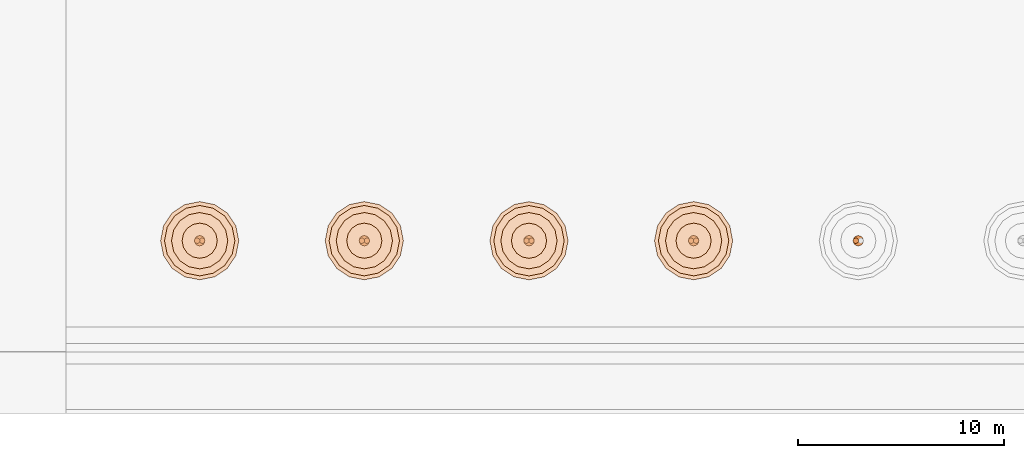
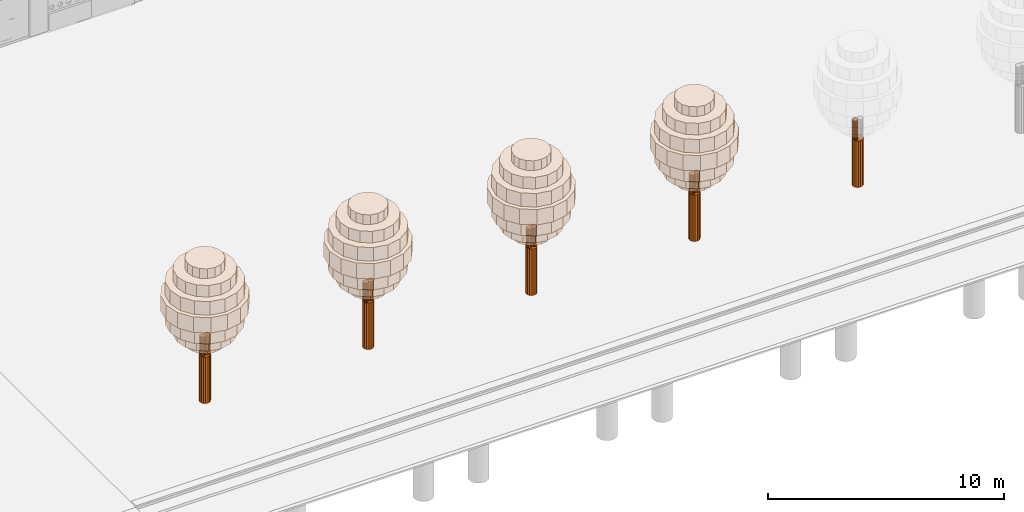
# One storey, part 243 of 250: 42 geographic elements.
"""IFC4 building model written with IfcOpenShell, lengths in metres."""

import ifcopenshell
import ifcopenshell.guid

model = None  # the IFC model being written
_history = None  # IfcOwnerHistory: only IFC2X3 demands one
_inside = {}  # id of a spatial element -> (the spatial element, [elements in it])
_under = {}  # id of a project, library or spatial element -> (it, [spatial elements below it])
_declared = {}  # id of a project -> (the project, [libraries it declares])
_typed = {}  # id of a type object -> (the type object, [elements of that type])
_made_of = {}  # id of a material, layer set ... -> (it, [elements and type objects made of it])


def new_model(schema):
    """Start an empty IFC model of exactly this schema.

    Asked for "IFC4X3", IfcOpenShell would pick the latest addendum, in which some entities
    have other attributes; the version numbers below select the first issue.
    IFC2X3 requires an IfcOwnerHistory on every rooted entity: one is made here for all.
    """
    global model, _history
    if schema == "IFC4X3":
        model = ifcopenshell.file(schema_version=(4, 3, 0, 0))
    else:
        model = ifcopenshell.file(schema=schema)
    _inside.clear()
    _under.clear()
    _declared.clear()
    _typed.clear()
    _made_of.clear()
    _history = None
    if model.schema == "IFC2X3":
        org = make("IfcOrganization", Name="unknown")
        user = make(
            "IfcPersonAndOrganization",
            ThePerson=make("IfcPerson", FamilyName="unknown"),
            TheOrganization=org,
        )
        app = make(
            "IfcApplication",
            ApplicationDeveloper=org,
            Version="unknown",
            ApplicationFullName="unknown",
            ApplicationIdentifier="unknown",
        )
        _history = make(
            "IfcOwnerHistory",
            OwningUser=user,
            OwningApplication=app,
            ChangeAction="ADDED",
            CreationDate=0,
        )
    return model


def make(cls, **values):
    """One entity of the class cls with the attributes given. An attribute that is None is left unset."""
    return model.create_entity(
        cls, **{name: value for name, value in values.items() if value is not None}
    )


def rooted(cls, **values):
    """An entity with a GlobalId (a new one), such as an element, a storey or a relation."""
    return make(cls, GlobalId=ifcopenshell.guid.new(), OwnerHistory=_history, **values)


def si_unit(unit_type, name, prefix=None):
    """IfcSIUnit, for example si_unit("LENGTHUNIT", "METRE", prefix="MILLI")."""
    return make("IfcSIUnit", UnitType=unit_type, Prefix=prefix, Name=name)


def assignment(units):
    """IfcUnitAssignment: the units of a project."""
    return None if units is None else make("IfcUnitAssignment", Units=units)


def point(xyz):
    """IfcCartesianPoint."""
    return None if xyz is None else make("IfcCartesianPoint", Coordinates=xyz)


def direction(xyz):
    """IfcDirection."""
    return None if xyz is None else make("IfcDirection", DirectionRatios=xyz)


def frame(location, z_axis=None, x_axis=None):
    """IfcAxis2Placement3D, a coordinate frame: its origin and axes. An axis left out is left unset."""
    return make(
        "IfcAxis2Placement3D",
        Location=point(location),
        Axis=direction(z_axis),
        RefDirection=direction(x_axis),
    )


def origin():
    """The frame at (0, 0, 0) with its axes left unset."""
    return frame((0.0, 0.0, 0.0))


def place(relative_to, where):
    """IfcLocalPlacement: puts the frame where relative to a parent placement (None: the world)."""
    return make(
        "IfcLocalPlacement", PlacementRelTo=relative_to, RelativePlacement=where
    )


def context(
    kind, dimensions, precision=None, world=None, true_north=None, identifier=None
):
    """IfcGeometricRepresentationContext, for example the 3D "Model" context."""
    return make(
        "IfcGeometricRepresentationContext",
        ContextIdentifier=identifier,
        ContextType=kind,
        CoordinateSpaceDimension=dimensions,
        Precision=precision,
        WorldCoordinateSystem=world,
        TrueNorth=true_north,
    )


def subcontext(parent, identifier, kind, view, scale=None):
    """IfcGeometricRepresentationSubContext, for example "Body" below "Model"."""
    return make(
        "IfcGeometricRepresentationSubContext",
        ContextIdentifier=identifier,
        ContextType=kind,
        ParentContext=parent,
        TargetScale=scale,
        TargetView=view,
    )


def project(units=None, contexts=None):
    """IfcProject with its units and contexts."""
    return rooted(
        "IfcProject",
        Name="project",
        RepresentationContexts=contexts,
        UnitsInContext=assignment(units),
    )


def spatial(cls, under=None, at=None, **own):
    """A site, building, storey or space (cls), placed at a placement, below another one or the project."""
    s = rooted(cls, ObjectPlacement=at, **own)
    if under is not None:
        _under.setdefault(under.id(), (under, []))[1].append(s)
    return s


def polyline(points):
    """IfcPolyline through the points."""
    return make("IfcPolyline", Points=[point(p) for p in points])


def outline(outer, holes=None, kind="AREA"):
    """IfcArbitraryClosedProfileDef: a profile drawn as a closed curve; with holes, ...WithVoids."""
    if holes is None:
        return make("IfcArbitraryClosedProfileDef", ProfileType=kind, OuterCurve=outer)
    return make(
        "IfcArbitraryProfileDefWithVoids",
        ProfileType=kind,
        OuterCurve=outer,
        InnerCurves=holes,
    )


def extrude(swept, where, along, depth):
    """IfcExtrudedAreaSolid: the profile swept, set in the frame where, extruded along a direction by depth."""
    return make(
        "IfcExtrudedAreaSolid",
        SweptArea=swept,
        Position=where,
        ExtrudedDirection=direction(along),
        Depth=depth,
    )


def shape(context_of_items, identifier, shape_type, items):
    """IfcShapeRepresentation: the items that make up one representation, for example the "Body"."""
    return make(
        "IfcShapeRepresentation",
        ContextOfItems=context_of_items,
        RepresentationIdentifier=identifier,
        RepresentationType=shape_type,
        Items=items,
    )


def material(Name=None, Category=None):
    """IfcMaterial."""
    return make("IfcMaterial", Name=Name, Category=Category)


def made_of(thing, what):
    """Note that an element or type object is made of a material, layer set ...; save() writes the relation."""
    if what is not None:
        _made_of.setdefault(what.id(), (what, []))[1].append(thing)
    return thing


def type_object(cls, material=None, **own):
    """A type object (cls), such as IfcWallType, which elements share."""
    return made_of(rooted(cls, **own), material)


def element(
    cls,
    number,
    at=None,
    inside=None,
    cuts=None,
    type_object=None,
    material=None,
    context=None,
    identifier="Body",
    shape_type=None,
    held_by="IfcProductDefinitionShape",
    body=None,
    shapes=None,
    **own,
):
    """One element of the class cls, such as IfcWall. Its Tag is "e" and its number.

    at: its placement. inside: the storey or other place that contains it. cuts: it is an
    opening in that element (IfcRelVoidsElement). A single representation is given by context,
    identifier, shape_type and body (its items); several are given by shapes. held_by: the class
    of the entity that holds the representations. save() writes the other relations.
    """
    e = rooted(cls, Tag="e%d" % number, ObjectPlacement=at, **own)
    if body is not None:
        shapes = [shape(context, identifier, shape_type, body)]
    if shapes is not None:
        e.Representation = make(held_by, Representations=shapes)
    if inside is not None:
        _inside.setdefault(inside.id(), (inside, []))[1].append(e)
    if cuts is not None:
        rooted(
            "IfcRelVoidsElement", RelatingBuildingElement=cuts, RelatedOpeningElement=e
        )
    if type_object is not None:
        _typed.setdefault(type_object.id(), (type_object, []))[1].append(e)
    return made_of(e, material)


def aggregate(whole, parts):
    """IfcRelAggregates: a whole, such as a stair, and the parts it consists of."""
    return rooted("IfcRelAggregates", RelatingObject=whole, RelatedObjects=parts)


def save(model, path):
    """Write the relations noted so far, then the file.

    IfcRelAggregates (storeys below a building ...), IfcRelContainedInSpatialStructure (elements
    in a storey), IfcRelDefinesByType, IfcRelAssociatesMaterial and IfcRelDeclares: one each for
    every whole, place, type object, material and project.
    """
    for whole, parts in _under.values():
        aggregate(whole, parts)
    for where, things in _inside.values():
        rooted(
            "IfcRelContainedInSpatialStructure",
            RelatedElements=things,
            RelatingStructure=where,
        )
    for kind, things in _typed.values():
        rooted("IfcRelDefinesByType", RelatedObjects=things, RelatingType=kind)
    for what, things in _made_of.values():
        rooted("IfcRelAssociatesMaterial", RelatedObjects=things, RelatingMaterial=what)
    for by, libraries in _declared.values():
        rooted("IfcRelDeclares", RelatingContext=by, RelatedDefinitions=libraries)
    model.write(path)


model = new_model("IFC4")

# Units and contexts
model_context = context("Model", 3, precision=1e-05, world=origin(), true_north=direction((0.0, 1.0)))
body_context = subcontext(model_context, "Body", "Model", "MODEL_VIEW")
ifc_project = project(units=[si_unit("LENGTHUNIT", "METRE"), si_unit("AREAUNIT", "SQUARE_METRE"), si_unit("VOLUMEUNIT", "CUBIC_METRE"), si_unit("PLANEANGLEUNIT", "RADIAN"), si_unit("MASSUNIT", "GRAM", prefix="KILO")], contexts=[model_context])

# Site, building, storey
site_placement = place(None, origin())
site = spatial("IfcSite", under=ifc_project, at=site_placement, CompositionType="ELEMENT")
building_placement = place(site_placement, origin())
building = spatial("IfcBuilding", under=site, at=building_placement, Name="Baradari Gate Terminus", CompositionType="ELEMENT")
storey_placement = place(building_placement, origin())
storey = spatial("IfcBuildingStorey", under=building, at=storey_placement, Name="L00", CompositionType="ELEMENT", Elevation=0.0)

# Geographic elements
ifc_material_1 = material(Name="Planted foliage, green")
geographic_element_type_1 = type_object("IfcGeographicElementType", Name="Street tree crown, belly layer TR-4 3420x700", PredefinedType="USERDEFINED", material=ifc_material_1)
for number, where, name in (
    (1, (0.0, 0.0, 4.10009765625), "Street tree 7 crown 3"),
    (2, (0.0, 0.0, 5.60009765625), "Street tree 7 crown 5"),
):
    element("IfcGeographicElement", number, at=place(storey_placement, frame(where)), inside=storey, type_object=geographic_element_type_1, Name=name, ObjectType="TREE", PredefinedType="USERDEFINED", context=body_context, shape_type="SweptSolid", body=[
        extrude(outline(polyline([(180.7099609375, 8.39990234375), (180.579833984375, 9.054443359375), (180.209228515625, 9.609130859375), (179.654296875, 9.979736328125), (179.0, 10.110107421875), (178.345703125, 9.979736328125), (177.790771484375, 9.609130859375), (177.420166015625, 9.054443359375), (177.2900390625, 8.39990234375), (177.420166015625, 7.74560546875), (177.790771484375, 7.19091796875), (178.345703125, 6.820068359375), (179.0, 6.68994140625), (179.654296875, 6.820068359375), (180.209228515625, 7.19091796875), (180.579833984375, 7.74560546875), (180.7099609375, 8.39990234375)])), origin(), (0.0, 0.0, 1.0), 0.699951171875),
    ])
for number, where, name in (
    (3, (0.0, 0.0, 4.10009765625), "Street tree 8 crown 3"),
    (4, (0.0, 0.0, 5.60009765625), "Street tree 8 crown 5"),
):
    element("IfcGeographicElement", number, at=place(storey_placement, frame(where)), inside=storey, type_object=geographic_element_type_1, Name=name, ObjectType="TREE", PredefinedType="USERDEFINED", context=body_context, shape_type="SweptSolid", body=[
        extrude(outline(polyline([(188.7099609375, 8.39990234375), (188.579833984375, 9.054443359375), (188.209228515625, 9.609130859375), (187.654296875, 9.979736328125), (187.0, 10.110107421875), (186.345703125, 9.979736328125), (185.790771484375, 9.609130859375), (185.420166015625, 9.054443359375), (185.2900390625, 8.39990234375), (185.420166015625, 7.74560546875), (185.790771484375, 7.19091796875), (186.345703125, 6.820068359375), (187.0, 6.68994140625), (187.654296875, 6.820068359375), (188.209228515625, 7.19091796875), (188.579833984375, 7.74560546875), (188.7099609375, 8.39990234375)])), origin(), (0.0, 0.0, 1.0), 0.699951171875),
    ])
for number, where, name in (
    (5, (0.0, 0.0, 4.10009765625), "Street tree 9 crown 3"),
    (6, (0.0, 0.0, 5.60009765625), "Street tree 9 crown 5"),
):
    element("IfcGeographicElement", number, at=place(storey_placement, frame(where)), inside=storey, type_object=geographic_element_type_1, Name=name, ObjectType="TREE", PredefinedType="USERDEFINED", context=body_context, shape_type="SweptSolid", body=[
        extrude(outline(polyline([(196.7099609375, 8.39990234375), (196.579833984375, 9.054443359375), (196.209228515625, 9.609130859375), (195.654296875, 9.979736328125), (195.0, 10.110107421875), (194.345703125, 9.979736328125), (193.790771484375, 9.609130859375), (193.420166015625, 9.054443359375), (193.2900390625, 8.39990234375), (193.420166015625, 7.74560546875), (193.790771484375, 7.19091796875), (194.345703125, 6.820068359375), (195.0, 6.68994140625), (195.654296875, 6.820068359375), (196.209228515625, 7.19091796875), (196.579833984375, 7.74560546875), (196.7099609375, 8.39990234375)])), origin(), (0.0, 0.0, 1.0), 0.699951171875),
    ])
for number, where, name in (
    (7, (0.0, 0.0, 4.10009765625), "Street tree 10 crown 3"),
    (8, (0.0, 0.0, 5.60009765625), "Street tree 10 crown 5"),
):
    element("IfcGeographicElement", number, at=place(storey_placement, frame(where)), inside=storey, type_object=geographic_element_type_1, Name=name, ObjectType="TREE", PredefinedType="USERDEFINED", context=body_context, shape_type="SweptSolid", body=[
        extrude(outline(polyline([(204.7099609375, 8.39990234375), (204.579833984375, 9.054443359375), (204.209228515625, 9.609130859375), (203.654296875, 9.979736328125), (203.0, 10.110107421875), (202.345703125, 9.979736328125), (201.790771484375, 9.609130859375), (201.420166015625, 9.054443359375), (201.2900390625, 8.39990234375), (201.420166015625, 7.74560546875), (201.790771484375, 7.19091796875), (202.345703125, 6.820068359375), (203.0, 6.68994140625), (203.654296875, 6.820068359375), (204.209228515625, 7.19091796875), (204.579833984375, 7.74560546875), (204.7099609375, 8.39990234375)])), origin(), (0.0, 0.0, 1.0), 0.699951171875),
    ])
ifc_material_2 = material(Name="Planted foliage, green")
geographic_element_type_2 = type_object("IfcGeographicElementType", Name="Street tree crown, core layer TR-5 3800x800", PredefinedType="USERDEFINED", material=ifc_material_2)
geographic_element_1_placement = place(storey_placement, frame((0.0, 0.0, 4.800048828125)))
element("IfcGeographicElement", 9, at=geographic_element_1_placement, inside=storey, type_object=geographic_element_type_2, Name="Street tree 7 crown 4", ObjectType="TREE", PredefinedType="USERDEFINED", context=body_context, shape_type="SweptSolid", body=[
    extrude(outline(polyline([(180.89990234375, 8.39990234375), (180.75537109375, 9.127197265625), (180.343505859375, 9.743408203125), (179.72705078125, 10.1552734375), (179.0, 10.300048828125), (178.27294921875, 10.1552734375), (177.656494140625, 9.743408203125), (177.24462890625, 9.127197265625), (177.10009765625, 8.39990234375), (177.24462890625, 7.6728515625), (177.656494140625, 7.056396484375), (178.27294921875, 6.64453125), (179.0, 6.5), (179.72705078125, 6.64453125), (180.343505859375, 7.056396484375), (180.75537109375, 7.6728515625), (180.89990234375, 8.39990234375)])), origin(), (0.0, 0.0, 1.0), 0.800048828125),
])
geographic_element_2_placement = place(storey_placement, frame((0.0, 0.0, 4.800048828125)))
element("IfcGeographicElement", 10, at=geographic_element_2_placement, inside=storey, type_object=geographic_element_type_2, Name="Street tree 8 crown 4", ObjectType="TREE", PredefinedType="USERDEFINED", context=body_context, shape_type="SweptSolid", body=[
    extrude(outline(polyline([(188.89990234375, 8.39990234375), (188.75537109375, 9.127197265625), (188.343505859375, 9.743408203125), (187.72705078125, 10.1552734375), (187.0, 10.300048828125), (186.27294921875, 10.1552734375), (185.656494140625, 9.743408203125), (185.24462890625, 9.127197265625), (185.10009765625, 8.39990234375), (185.24462890625, 7.6728515625), (185.656494140625, 7.056396484375), (186.27294921875, 6.64453125), (187.0, 6.5), (187.72705078125, 6.64453125), (188.343505859375, 7.056396484375), (188.75537109375, 7.6728515625), (188.89990234375, 8.39990234375)])), origin(), (0.0, 0.0, 1.0), 0.800048828125),
])
geographic_element_3_placement = place(storey_placement, frame((0.0, 0.0, 4.800048828125)))
element("IfcGeographicElement", 11, at=geographic_element_3_placement, inside=storey, type_object=geographic_element_type_2, Name="Street tree 9 crown 4", ObjectType="TREE", PredefinedType="USERDEFINED", context=body_context, shape_type="SweptSolid", body=[
    extrude(outline(polyline([(196.89990234375, 8.39990234375), (196.75537109375, 9.127197265625), (196.343505859375, 9.743408203125), (195.72705078125, 10.1552734375), (195.0, 10.300048828125), (194.27294921875, 10.1552734375), (193.656494140625, 9.743408203125), (193.24462890625, 9.127197265625), (193.10009765625, 8.39990234375), (193.24462890625, 7.6728515625), (193.656494140625, 7.056396484375), (194.27294921875, 6.64453125), (195.0, 6.5), (195.72705078125, 6.64453125), (196.343505859375, 7.056396484375), (196.75537109375, 7.6728515625), (196.89990234375, 8.39990234375)])), origin(), (0.0, 0.0, 1.0), 0.800048828125),
])
geographic_element_4_placement = place(storey_placement, frame((0.0, 0.0, 4.800048828125)))
element("IfcGeographicElement", 12, at=geographic_element_4_placement, inside=storey, type_object=geographic_element_type_2, Name="Street tree 10 crown 4", ObjectType="TREE", PredefinedType="USERDEFINED", context=body_context, shape_type="SweptSolid", body=[
    extrude(outline(polyline([(204.89990234375, 8.39990234375), (204.75537109375, 9.127197265625), (204.343505859375, 9.743408203125), (203.72705078125, 10.1552734375), (203.0, 10.300048828125), (202.27294921875, 10.1552734375), (201.656494140625, 9.743408203125), (201.24462890625, 9.127197265625), (201.10009765625, 8.39990234375), (201.24462890625, 7.6728515625), (201.656494140625, 7.056396484375), (202.27294921875, 6.64453125), (203.0, 6.5), (203.72705078125, 6.64453125), (204.343505859375, 7.056396484375), (204.75537109375, 7.6728515625), (204.89990234375, 8.39990234375)])), origin(), (0.0, 0.0, 1.0), 0.800048828125),
])
ifc_material_3 = material(Name="Planted foliage, green")
geographic_element_type_3 = type_object("IfcGeographicElementType", Name="Street tree crown, rim layer TR-2 1710x500", PredefinedType="USERDEFINED", material=ifc_material_3)
for number, where, name in (
    (13, (0.0, 0.0, 3.0), "Street tree 7 crown 1"),
    (14, (0.0, 0.0, 6.89990234375), "Street tree 7 crown 7"),
):
    element("IfcGeographicElement", number, at=place(storey_placement, frame(where)), inside=storey, type_object=geographic_element_type_3, Name=name, ObjectType="TREE", PredefinedType="USERDEFINED", context=body_context, shape_type="SweptSolid", body=[
        extrude(outline(polyline([(179.85498046875, 8.39990234375), (179.7900390625, 8.727294921875), (179.6044921875, 9.004638671875), (179.3271484375, 9.18994140625), (179.0, 9.2548828125), (178.6728515625, 9.18994140625), (178.3955078125, 9.004638671875), (178.2099609375, 8.727294921875), (178.14501953125, 8.39990234375), (178.2099609375, 8.07275390625), (178.3955078125, 7.79541015625), (178.6728515625, 7.610107421875), (179.0, 7.544921875), (179.3271484375, 7.610107421875), (179.6044921875, 7.79541015625), (179.7900390625, 8.07275390625), (179.85498046875, 8.39990234375)])), origin(), (0.0, 0.0, 1.0), 0.5),
    ])
for number, where, name in (
    (15, (0.0, 0.0, 3.0), "Street tree 8 crown 1"),
    (16, (0.0, 0.0, 6.89990234375), "Street tree 8 crown 7"),
):
    element("IfcGeographicElement", number, at=place(storey_placement, frame(where)), inside=storey, type_object=geographic_element_type_3, Name=name, ObjectType="TREE", PredefinedType="USERDEFINED", context=body_context, shape_type="SweptSolid", body=[
        extrude(outline(polyline([(187.85498046875, 8.39990234375), (187.7900390625, 8.727294921875), (187.6044921875, 9.004638671875), (187.3271484375, 9.18994140625), (187.0, 9.2548828125), (186.6728515625, 9.18994140625), (186.3955078125, 9.004638671875), (186.2099609375, 8.727294921875), (186.14501953125, 8.39990234375), (186.2099609375, 8.07275390625), (186.3955078125, 7.79541015625), (186.6728515625, 7.610107421875), (187.0, 7.544921875), (187.3271484375, 7.610107421875), (187.6044921875, 7.79541015625), (187.7900390625, 8.07275390625), (187.85498046875, 8.39990234375)])), origin(), (0.0, 0.0, 1.0), 0.5),
    ])
for number, where, name in (
    (17, (0.0, 0.0, 3.0), "Street tree 9 crown 1"),
    (18, (0.0, 0.0, 6.89990234375), "Street tree 9 crown 7"),
):
    element("IfcGeographicElement", number, at=place(storey_placement, frame(where)), inside=storey, type_object=geographic_element_type_3, Name=name, ObjectType="TREE", PredefinedType="USERDEFINED", context=body_context, shape_type="SweptSolid", body=[
        extrude(outline(polyline([(195.85498046875, 8.39990234375), (195.7900390625, 8.727294921875), (195.6044921875, 9.004638671875), (195.3271484375, 9.18994140625), (195.0, 9.2548828125), (194.6728515625, 9.18994140625), (194.3955078125, 9.004638671875), (194.2099609375, 8.727294921875), (194.14501953125, 8.39990234375), (194.2099609375, 8.07275390625), (194.3955078125, 7.79541015625), (194.6728515625, 7.610107421875), (195.0, 7.544921875), (195.3271484375, 7.610107421875), (195.6044921875, 7.79541015625), (195.7900390625, 8.07275390625), (195.85498046875, 8.39990234375)])), origin(), (0.0, 0.0, 1.0), 0.5),
    ])
for number, where, name in (
    (19, (0.0, 0.0, 3.0), "Street tree 10 crown 1"),
    (20, (0.0, 0.0, 6.89990234375), "Street tree 10 crown 7"),
):
    element("IfcGeographicElement", number, at=place(storey_placement, frame(where)), inside=storey, type_object=geographic_element_type_3, Name=name, ObjectType="TREE", PredefinedType="USERDEFINED", context=body_context, shape_type="SweptSolid", body=[
        extrude(outline(polyline([(203.85498046875, 8.39990234375), (203.7900390625, 8.727294921875), (203.6044921875, 9.004638671875), (203.3271484375, 9.18994140625), (203.0, 9.2548828125), (202.6728515625, 9.18994140625), (202.3955078125, 9.004638671875), (202.2099609375, 8.727294921875), (202.14501953125, 8.39990234375), (202.2099609375, 8.07275390625), (202.3955078125, 7.79541015625), (202.6728515625, 7.610107421875), (203.0, 7.544921875), (203.3271484375, 7.610107421875), (203.6044921875, 7.79541015625), (203.7900390625, 8.07275390625), (203.85498046875, 8.39990234375)])), origin(), (0.0, 0.0, 1.0), 0.5),
    ])
ifc_material_4 = material(Name="Planted foliage, green")
geographic_element_type_4 = type_object("IfcGeographicElementType", Name="Street tree crown, shoulder layer TR-3 2736x600", PredefinedType="USERDEFINED", material=ifc_material_4)
geographic_element_5_placement = place(storey_placement, frame((0.0, 0.0, 3.5)))
element("IfcGeographicElement", 21, at=geographic_element_5_placement, inside=storey, type_object=geographic_element_type_4, Name="Street tree 7 crown 2", ObjectType="TREE", PredefinedType="USERDEFINED", context=body_context, shape_type="SweptSolid", body=[
    extrude(outline(polyline([(180.367919921875, 8.39990234375), (180.263916015625, 8.923583984375), (179.96728515625, 9.367431640625), (179.5234375, 9.663818359375), (179.0, 9.76806640625), (178.4765625, 9.663818359375), (178.03271484375, 9.367431640625), (177.736083984375, 8.923583984375), (177.632080078125, 8.39990234375), (177.736083984375, 7.87646484375), (178.03271484375, 7.4326171875), (178.4765625, 7.13623046875), (179.0, 7.031982421875), (179.5234375, 7.13623046875), (179.96728515625, 7.4326171875), (180.263916015625, 7.87646484375), (180.367919921875, 8.39990234375)])), origin(), (0.0, 0.0, 1.0), 0.60009765625),
])
geographic_element_6_placement = place(storey_placement, frame((0.0, 0.0, 6.300048828125)))
element("IfcGeographicElement", 22, at=geographic_element_6_placement, inside=storey, type_object=geographic_element_type_4, Name="Street tree 7 crown 6", ObjectType="TREE", PredefinedType="USERDEFINED", context=body_context, shape_type="SweptSolid", body=[
    extrude(outline(polyline([(180.367919921875, 8.39990234375), (180.263916015625, 8.923583984375), (179.96728515625, 9.367431640625), (179.5234375, 9.663818359375), (179.0, 9.76806640625), (178.4765625, 9.663818359375), (178.03271484375, 9.367431640625), (177.736083984375, 8.923583984375), (177.632080078125, 8.39990234375), (177.736083984375, 7.87646484375), (178.03271484375, 7.4326171875), (178.4765625, 7.13623046875), (179.0, 7.031982421875), (179.5234375, 7.13623046875), (179.96728515625, 7.4326171875), (180.263916015625, 7.87646484375), (180.367919921875, 8.39990234375)])), origin(), (0.0, 0.0, 1.0), 0.599853515625),
])
geographic_element_7_placement = place(storey_placement, frame((0.0, 0.0, 3.5)))
element("IfcGeographicElement", 23, at=geographic_element_7_placement, inside=storey, type_object=geographic_element_type_4, Name="Street tree 8 crown 2", ObjectType="TREE", PredefinedType="USERDEFINED", context=body_context, shape_type="SweptSolid", body=[
    extrude(outline(polyline([(188.367919921875, 8.39990234375), (188.263916015625, 8.923583984375), (187.96728515625, 9.367431640625), (187.5234375, 9.663818359375), (187.0, 9.76806640625), (186.4765625, 9.663818359375), (186.03271484375, 9.367431640625), (185.736083984375, 8.923583984375), (185.632080078125, 8.39990234375), (185.736083984375, 7.87646484375), (186.03271484375, 7.4326171875), (186.4765625, 7.13623046875), (187.0, 7.031982421875), (187.5234375, 7.13623046875), (187.96728515625, 7.4326171875), (188.263916015625, 7.87646484375), (188.367919921875, 8.39990234375)])), origin(), (0.0, 0.0, 1.0), 0.60009765625),
])
geographic_element_8_placement = place(storey_placement, frame((0.0, 0.0, 6.300048828125)))
element("IfcGeographicElement", 24, at=geographic_element_8_placement, inside=storey, type_object=geographic_element_type_4, Name="Street tree 8 crown 6", ObjectType="TREE", PredefinedType="USERDEFINED", context=body_context, shape_type="SweptSolid", body=[
    extrude(outline(polyline([(188.367919921875, 8.39990234375), (188.263916015625, 8.923583984375), (187.96728515625, 9.367431640625), (187.5234375, 9.663818359375), (187.0, 9.76806640625), (186.4765625, 9.663818359375), (186.03271484375, 9.367431640625), (185.736083984375, 8.923583984375), (185.632080078125, 8.39990234375), (185.736083984375, 7.87646484375), (186.03271484375, 7.4326171875), (186.4765625, 7.13623046875), (187.0, 7.031982421875), (187.5234375, 7.13623046875), (187.96728515625, 7.4326171875), (188.263916015625, 7.87646484375), (188.367919921875, 8.39990234375)])), origin(), (0.0, 0.0, 1.0), 0.599853515625),
])
geographic_element_9_placement = place(storey_placement, frame((0.0, 0.0, 3.5)))
element("IfcGeographicElement", 25, at=geographic_element_9_placement, inside=storey, type_object=geographic_element_type_4, Name="Street tree 9 crown 2", ObjectType="TREE", PredefinedType="USERDEFINED", context=body_context, shape_type="SweptSolid", body=[
    extrude(outline(polyline([(196.367919921875, 8.39990234375), (196.263916015625, 8.923583984375), (195.96728515625, 9.367431640625), (195.5234375, 9.663818359375), (195.0, 9.76806640625), (194.4765625, 9.663818359375), (194.03271484375, 9.367431640625), (193.736083984375, 8.923583984375), (193.632080078125, 8.39990234375), (193.736083984375, 7.87646484375), (194.03271484375, 7.4326171875), (194.4765625, 7.13623046875), (195.0, 7.031982421875), (195.5234375, 7.13623046875), (195.96728515625, 7.4326171875), (196.263916015625, 7.87646484375), (196.367919921875, 8.39990234375)])), origin(), (0.0, 0.0, 1.0), 0.60009765625),
])
geographic_element_10_placement = place(storey_placement, frame((0.0, 0.0, 6.300048828125)))
element("IfcGeographicElement", 26, at=geographic_element_10_placement, inside=storey, type_object=geographic_element_type_4, Name="Street tree 9 crown 6", ObjectType="TREE", PredefinedType="USERDEFINED", context=body_context, shape_type="SweptSolid", body=[
    extrude(outline(polyline([(196.367919921875, 8.39990234375), (196.263916015625, 8.923583984375), (195.96728515625, 9.367431640625), (195.5234375, 9.663818359375), (195.0, 9.76806640625), (194.4765625, 9.663818359375), (194.03271484375, 9.367431640625), (193.736083984375, 8.923583984375), (193.632080078125, 8.39990234375), (193.736083984375, 7.87646484375), (194.03271484375, 7.4326171875), (194.4765625, 7.13623046875), (195.0, 7.031982421875), (195.5234375, 7.13623046875), (195.96728515625, 7.4326171875), (196.263916015625, 7.87646484375), (196.367919921875, 8.39990234375)])), origin(), (0.0, 0.0, 1.0), 0.599853515625),
])
geographic_element_11_placement = place(storey_placement, frame((0.0, 0.0, 3.5)))
element("IfcGeographicElement", 27, at=geographic_element_11_placement, inside=storey, type_object=geographic_element_type_4, Name="Street tree 10 crown 2", ObjectType="TREE", PredefinedType="USERDEFINED", context=body_context, shape_type="SweptSolid", body=[
    extrude(outline(polyline([(204.367919921875, 8.39990234375), (204.263916015625, 8.923583984375), (203.96728515625, 9.367431640625), (203.5234375, 9.663818359375), (203.0, 9.76806640625), (202.4765625, 9.663818359375), (202.03271484375, 9.367431640625), (201.736083984375, 8.923583984375), (201.632080078125, 8.39990234375), (201.736083984375, 7.87646484375), (202.03271484375, 7.4326171875), (202.4765625, 7.13623046875), (203.0, 7.031982421875), (203.5234375, 7.13623046875), (203.96728515625, 7.4326171875), (204.263916015625, 7.87646484375), (204.367919921875, 8.39990234375)])), origin(), (0.0, 0.0, 1.0), 0.60009765625),
])
geographic_element_12_placement = place(storey_placement, frame((0.0, 0.0, 6.300048828125)))
element("IfcGeographicElement", 28, at=geographic_element_12_placement, inside=storey, type_object=geographic_element_type_4, Name="Street tree 10 crown 6", ObjectType="TREE", PredefinedType="USERDEFINED", context=body_context, shape_type="SweptSolid", body=[
    extrude(outline(polyline([(204.367919921875, 8.39990234375), (204.263916015625, 8.923583984375), (203.96728515625, 9.367431640625), (203.5234375, 9.663818359375), (203.0, 9.76806640625), (202.4765625, 9.663818359375), (202.03271484375, 9.367431640625), (201.736083984375, 8.923583984375), (201.632080078125, 8.39990234375), (201.736083984375, 7.87646484375), (202.03271484375, 7.4326171875), (202.4765625, 7.13623046875), (203.0, 7.031982421875), (203.5234375, 7.13623046875), (203.96728515625, 7.4326171875), (204.263916015625, 7.87646484375), (204.367919921875, 8.39990234375)])), origin(), (0.0, 0.0, 1.0), 0.599853515625),
])
ifc_material_5 = material(Name="Timber, hardwood", Category="wood")
geographic_element_type_5 = type_object("IfcGeographicElementType", Name="Street tree limb TR-11 260x1000", PredefinedType="USERDEFINED", material=ifc_material_5)
geographic_element_13_placement = place(storey_placement, frame((0.0, 0.0, 2.39990234375)))
element("IfcGeographicElement", 29, at=geographic_element_13_placement, inside=storey, type_object=geographic_element_type_5, Name="Street tree 7 limb 1", ObjectType="TREE", PredefinedType="USERDEFINED", context=body_context, shape_type="SweptSolid", body=[
    extrude(outline(polyline([(179.010009765625, 8.39990234375), (179.0, 8.44970703125), (178.971923828125, 8.491943359375), (178.9296875, 8.52001953125), (178.8798828125, 8.530029296875), (178.830322265625, 8.52001953125), (178.7880859375, 8.491943359375), (178.760009765625, 8.44970703125), (178.75, 8.39990234375), (178.760009765625, 8.350341796875), (178.7880859375, 8.30810546875), (178.830322265625, 8.27978515625), (178.8798828125, 8.27001953125), (178.9296875, 8.27978515625), (178.971923828125, 8.30810546875), (179.0, 8.350341796875), (179.010009765625, 8.39990234375)])), origin(), (0.0, 0.0, 1.0), 1.0),
])
geographic_element_14_placement = place(storey_placement, frame((0.0, 0.0, 2.39990234375)))
element("IfcGeographicElement", 30, at=geographic_element_14_placement, inside=storey, type_object=geographic_element_type_5, Name="Street tree 7 limb 2", ObjectType="TREE", PredefinedType="USERDEFINED", context=body_context, shape_type="SweptSolid", body=[
    extrude(outline(polyline([(179.25, 8.39990234375), (179.239990234375, 8.44970703125), (179.2119140625, 8.491943359375), (179.169677734375, 8.52001953125), (179.1201171875, 8.530029296875), (179.0703125, 8.52001953125), (179.028076171875, 8.491943359375), (179.0, 8.44970703125), (178.989990234375, 8.39990234375), (179.0, 8.350341796875), (179.028076171875, 8.30810546875), (179.0703125, 8.27978515625), (179.1201171875, 8.27001953125), (179.169677734375, 8.27978515625), (179.2119140625, 8.30810546875), (179.239990234375, 8.350341796875), (179.25, 8.39990234375)])), origin(), (0.0, 0.0, 1.0), 1.0),
])
geographic_element_15_placement = place(storey_placement, frame((0.0, 0.0, 2.39990234375)))
element("IfcGeographicElement", 31, at=geographic_element_15_placement, inside=storey, type_object=geographic_element_type_5, Name="Street tree 8 limb 1", ObjectType="TREE", PredefinedType="USERDEFINED", context=body_context, shape_type="SweptSolid", body=[
    extrude(outline(polyline([(187.010009765625, 8.39990234375), (187.0, 8.44970703125), (186.971923828125, 8.491943359375), (186.9296875, 8.52001953125), (186.8798828125, 8.530029296875), (186.830322265625, 8.52001953125), (186.7880859375, 8.491943359375), (186.760009765625, 8.44970703125), (186.75, 8.39990234375), (186.760009765625, 8.350341796875), (186.7880859375, 8.30810546875), (186.830322265625, 8.27978515625), (186.8798828125, 8.27001953125), (186.9296875, 8.27978515625), (186.971923828125, 8.30810546875), (187.0, 8.350341796875), (187.010009765625, 8.39990234375)])), origin(), (0.0, 0.0, 1.0), 1.0),
])
geographic_element_16_placement = place(storey_placement, frame((0.0, 0.0, 2.39990234375)))
element("IfcGeographicElement", 32, at=geographic_element_16_placement, inside=storey, type_object=geographic_element_type_5, Name="Street tree 8 limb 2", ObjectType="TREE", PredefinedType="USERDEFINED", context=body_context, shape_type="SweptSolid", body=[
    extrude(outline(polyline([(187.25, 8.39990234375), (187.239990234375, 8.44970703125), (187.2119140625, 8.491943359375), (187.169677734375, 8.52001953125), (187.1201171875, 8.530029296875), (187.0703125, 8.52001953125), (187.028076171875, 8.491943359375), (187.0, 8.44970703125), (186.989990234375, 8.39990234375), (187.0, 8.350341796875), (187.028076171875, 8.30810546875), (187.0703125, 8.27978515625), (187.1201171875, 8.27001953125), (187.169677734375, 8.27978515625), (187.2119140625, 8.30810546875), (187.239990234375, 8.350341796875), (187.25, 8.39990234375)])), origin(), (0.0, 0.0, 1.0), 1.0),
])
geographic_element_17_placement = place(storey_placement, frame((0.0, 0.0, 2.39990234375)))
element("IfcGeographicElement", 33, at=geographic_element_17_placement, inside=storey, type_object=geographic_element_type_5, Name="Street tree 9 limb 1", ObjectType="TREE", PredefinedType="USERDEFINED", context=body_context, shape_type="SweptSolid", body=[
    extrude(outline(polyline([(195.010009765625, 8.39990234375), (195.0, 8.44970703125), (194.971923828125, 8.491943359375), (194.9296875, 8.52001953125), (194.8798828125, 8.530029296875), (194.830322265625, 8.52001953125), (194.7880859375, 8.491943359375), (194.760009765625, 8.44970703125), (194.75, 8.39990234375), (194.760009765625, 8.350341796875), (194.7880859375, 8.30810546875), (194.830322265625, 8.27978515625), (194.8798828125, 8.27001953125), (194.9296875, 8.27978515625), (194.971923828125, 8.30810546875), (195.0, 8.350341796875), (195.010009765625, 8.39990234375)])), origin(), (0.0, 0.0, 1.0), 1.0),
])
geographic_element_18_placement = place(storey_placement, frame((0.0, 0.0, 2.39990234375)))
element("IfcGeographicElement", 34, at=geographic_element_18_placement, inside=storey, type_object=geographic_element_type_5, Name="Street tree 9 limb 2", ObjectType="TREE", PredefinedType="USERDEFINED", context=body_context, shape_type="SweptSolid", body=[
    extrude(outline(polyline([(195.25, 8.39990234375), (195.239990234375, 8.44970703125), (195.2119140625, 8.491943359375), (195.169677734375, 8.52001953125), (195.1201171875, 8.530029296875), (195.0703125, 8.52001953125), (195.028076171875, 8.491943359375), (195.0, 8.44970703125), (194.989990234375, 8.39990234375), (195.0, 8.350341796875), (195.028076171875, 8.30810546875), (195.0703125, 8.27978515625), (195.1201171875, 8.27001953125), (195.169677734375, 8.27978515625), (195.2119140625, 8.30810546875), (195.239990234375, 8.350341796875), (195.25, 8.39990234375)])), origin(), (0.0, 0.0, 1.0), 1.0),
])
geographic_element_19_placement = place(storey_placement, frame((0.0, 0.0, 2.39990234375)))
element("IfcGeographicElement", 35, at=geographic_element_19_placement, inside=storey, type_object=geographic_element_type_5, Name="Street tree 10 limb 1", ObjectType="TREE", PredefinedType="USERDEFINED", context=body_context, shape_type="SweptSolid", body=[
    extrude(outline(polyline([(203.010009765625, 8.39990234375), (203.0, 8.44970703125), (202.971923828125, 8.491943359375), (202.9296875, 8.52001953125), (202.8798828125, 8.530029296875), (202.830322265625, 8.52001953125), (202.7880859375, 8.491943359375), (202.760009765625, 8.44970703125), (202.75, 8.39990234375), (202.760009765625, 8.350341796875), (202.7880859375, 8.30810546875), (202.830322265625, 8.27978515625), (202.8798828125, 8.27001953125), (202.9296875, 8.27978515625), (202.971923828125, 8.30810546875), (203.0, 8.350341796875), (203.010009765625, 8.39990234375)])), origin(), (0.0, 0.0, 1.0), 1.0),
])
geographic_element_20_placement = place(storey_placement, frame((0.0, 0.0, 2.39990234375)))
element("IfcGeographicElement", 36, at=geographic_element_20_placement, inside=storey, type_object=geographic_element_type_5, Name="Street tree 10 limb 2", ObjectType="TREE", PredefinedType="USERDEFINED", context=body_context, shape_type="SweptSolid", body=[
    extrude(outline(polyline([(203.25, 8.39990234375), (203.239990234375, 8.44970703125), (203.2119140625, 8.491943359375), (203.169677734375, 8.52001953125), (203.1201171875, 8.530029296875), (203.0703125, 8.52001953125), (203.028076171875, 8.491943359375), (203.0, 8.44970703125), (202.989990234375, 8.39990234375), (203.0, 8.350341796875), (203.028076171875, 8.30810546875), (203.0703125, 8.27978515625), (203.1201171875, 8.27001953125), (203.169677734375, 8.27978515625), (203.2119140625, 8.30810546875), (203.239990234375, 8.350341796875), (203.25, 8.39990234375)])), origin(), (0.0, 0.0, 1.0), 1.0),
])
geographic_element_21_placement = place(storey_placement, frame((0.0, 0.0, 2.39990234375)))
element("IfcGeographicElement", 37, at=geographic_element_21_placement, inside=storey, type_object=geographic_element_type_5, Name="Street tree 11 limb 1", ObjectType="TREE", PredefinedType="USERDEFINED", context=body_context, shape_type="SweptSolid", body=[
    extrude(outline(polyline([(211.010009765625, 8.39990234375), (211.0, 8.44970703125), (210.971923828125, 8.491943359375), (210.9296875, 8.52001953125), (210.8798828125, 8.530029296875), (210.830322265625, 8.52001953125), (210.7880859375, 8.491943359375), (210.760009765625, 8.44970703125), (210.75, 8.39990234375), (210.760009765625, 8.350341796875), (210.7880859375, 8.30810546875), (210.830322265625, 8.27978515625), (210.8798828125, 8.27001953125), (210.9296875, 8.27978515625), (210.971923828125, 8.30810546875), (211.0, 8.350341796875), (211.010009765625, 8.39990234375)])), origin(), (0.0, 0.0, 1.0), 1.0),
])
ifc_material_6 = material(Name="Timber, hardwood", Category="wood")
geographic_element_type_6 = type_object("IfcGeographicElementType", Name="Street tree trunk TR-1 500x2400", PredefinedType="USERDEFINED", material=ifc_material_6)
geographic_element_22_placement = place(storey_placement, origin())
element("IfcGeographicElement", 38, at=geographic_element_22_placement, inside=storey, type_object=geographic_element_type_6, Name="Street tree 7 trunk", ObjectType="TREE", PredefinedType="USERDEFINED", context=body_context, shape_type="SweptSolid", body=[
    extrude(outline(polyline([(179.25, 8.39990234375), (179.23095703125, 8.49560546875), (179.1767578125, 8.57666015625), (179.095703125, 8.630859375), (179.0, 8.64990234375), (178.904296875, 8.630859375), (178.8232421875, 8.57666015625), (178.76904296875, 8.49560546875), (178.75, 8.39990234375), (178.76904296875, 8.304443359375), (178.8232421875, 8.22314453125), (178.904296875, 8.1689453125), (179.0, 8.14990234375), (179.095703125, 8.1689453125), (179.1767578125, 8.22314453125), (179.23095703125, 8.304443359375), (179.25, 8.39990234375)])), origin(), (0.0, 0.0, 1.0), 2.39990234375),
])
geographic_element_23_placement = place(storey_placement, origin())
element("IfcGeographicElement", 39, at=geographic_element_23_placement, inside=storey, type_object=geographic_element_type_6, Name="Street tree 8 trunk", ObjectType="TREE", PredefinedType="USERDEFINED", context=body_context, shape_type="SweptSolid", body=[
    extrude(outline(polyline([(187.25, 8.39990234375), (187.23095703125, 8.49560546875), (187.1767578125, 8.57666015625), (187.095703125, 8.630859375), (187.0, 8.64990234375), (186.904296875, 8.630859375), (186.8232421875, 8.57666015625), (186.76904296875, 8.49560546875), (186.75, 8.39990234375), (186.76904296875, 8.304443359375), (186.8232421875, 8.22314453125), (186.904296875, 8.1689453125), (187.0, 8.14990234375), (187.095703125, 8.1689453125), (187.1767578125, 8.22314453125), (187.23095703125, 8.304443359375), (187.25, 8.39990234375)])), origin(), (0.0, 0.0, 1.0), 2.39990234375),
])
geographic_element_24_placement = place(storey_placement, origin())
element("IfcGeographicElement", 40, at=geographic_element_24_placement, inside=storey, type_object=geographic_element_type_6, Name="Street tree 9 trunk", ObjectType="TREE", PredefinedType="USERDEFINED", context=body_context, shape_type="SweptSolid", body=[
    extrude(outline(polyline([(195.25, 8.39990234375), (195.23095703125, 8.49560546875), (195.1767578125, 8.57666015625), (195.095703125, 8.630859375), (195.0, 8.64990234375), (194.904296875, 8.630859375), (194.8232421875, 8.57666015625), (194.76904296875, 8.49560546875), (194.75, 8.39990234375), (194.76904296875, 8.304443359375), (194.8232421875, 8.22314453125), (194.904296875, 8.1689453125), (195.0, 8.14990234375), (195.095703125, 8.1689453125), (195.1767578125, 8.22314453125), (195.23095703125, 8.304443359375), (195.25, 8.39990234375)])), origin(), (0.0, 0.0, 1.0), 2.39990234375),
])
geographic_element_25_placement = place(storey_placement, origin())
element("IfcGeographicElement", 41, at=geographic_element_25_placement, inside=storey, type_object=geographic_element_type_6, Name="Street tree 10 trunk", ObjectType="TREE", PredefinedType="USERDEFINED", context=body_context, shape_type="SweptSolid", body=[
    extrude(outline(polyline([(203.25, 8.39990234375), (203.23095703125, 8.49560546875), (203.1767578125, 8.57666015625), (203.095703125, 8.630859375), (203.0, 8.64990234375), (202.904296875, 8.630859375), (202.8232421875, 8.57666015625), (202.76904296875, 8.49560546875), (202.75, 8.39990234375), (202.76904296875, 8.304443359375), (202.8232421875, 8.22314453125), (202.904296875, 8.1689453125), (203.0, 8.14990234375), (203.095703125, 8.1689453125), (203.1767578125, 8.22314453125), (203.23095703125, 8.304443359375), (203.25, 8.39990234375)])), origin(), (0.0, 0.0, 1.0), 2.39990234375),
])
geographic_element_26_placement = place(storey_placement, origin())
element("IfcGeographicElement", 42, at=geographic_element_26_placement, inside=storey, type_object=geographic_element_type_6, Name="Street tree 11 trunk", ObjectType="TREE", PredefinedType="USERDEFINED", context=body_context, shape_type="SweptSolid", body=[
    extrude(outline(polyline([(211.25, 8.39990234375), (211.23095703125, 8.49560546875), (211.1767578125, 8.57666015625), (211.095703125, 8.630859375), (211.0, 8.64990234375), (210.904296875, 8.630859375), (210.8232421875, 8.57666015625), (210.76904296875, 8.49560546875), (210.75, 8.39990234375), (210.76904296875, 8.304443359375), (210.8232421875, 8.22314453125), (210.904296875, 8.1689453125), (211.0, 8.14990234375), (211.095703125, 8.1689453125), (211.1767578125, 8.22314453125), (211.23095703125, 8.304443359375), (211.25, 8.39990234375)])), origin(), (0.0, 0.0, 1.0), 2.39990234375),
])

save(model, "model.ifc")
